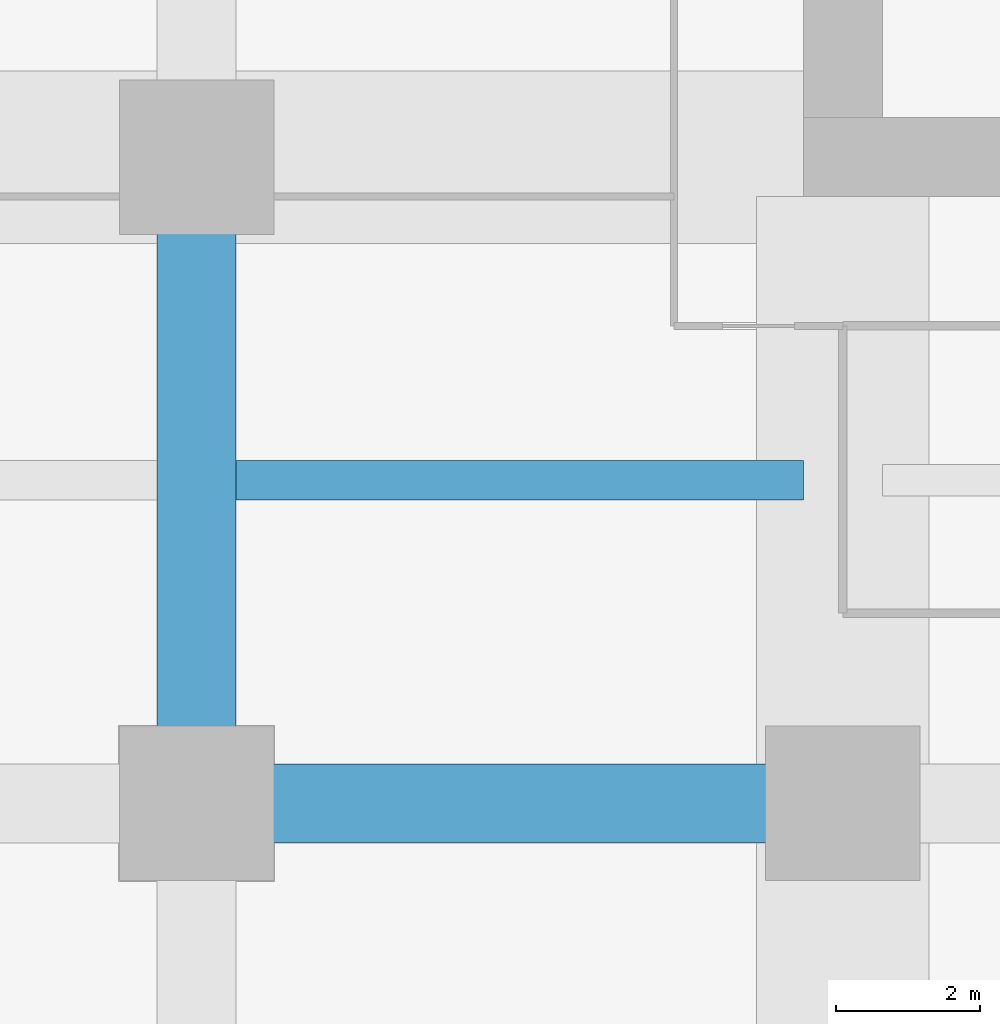
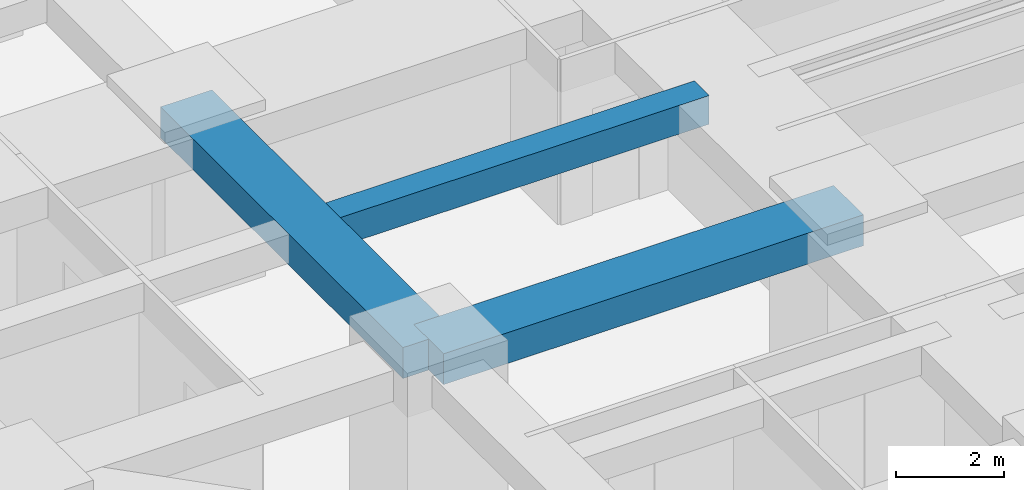
# One storey, part 5 of 45: 3 beams.
"""IFC4 building model written with IfcOpenShell, lengths in metres."""

from ifc_helpers import new_model, si_unit, direction, frame, origin, origin_2d, place, context, subcontext, project, spatial, rectangle, extrude, material, material_profile, profile_set, type_object, element, save


model = new_model("IFC4")

# Units and contexts
model_context = context("Model", 3, precision=1e-05, world=origin(), true_north=direction((0.0, 1.0)))
body_context = subcontext(model_context, "Body", "Model", "MODEL_VIEW")
ifc_project = project(units=[si_unit("LENGTHUNIT", "METRE"), si_unit("AREAUNIT", "SQUARE_METRE"), si_unit("VOLUMEUNIT", "CUBIC_METRE"), si_unit("PLANEANGLEUNIT", "RADIAN"), si_unit("MASSUNIT", "GRAM", prefix="KILO")], contexts=[model_context])

# Site, building, storey
site_placement = place(None, origin())
site = spatial("IfcSite", under=ifc_project, at=site_placement, CompositionType="ELEMENT")
building_placement = place(site_placement, origin())
building = spatial("IfcBuilding", under=site, at=building_placement, Name="Zorevar Civic Tower", CompositionType="ELEMENT")
storey_placement = place(building_placement, frame((0.0, 0.0, 71.800048828125)))
storey = spatial("IfcBuildingStorey", under=building, at=storey_placement, Name="L17", CompositionType="ELEMENT", Elevation=71.800048828125)

# Beams
ifc_material_1 = material(Name="Concrete C50/60", Category="concrete")
ifc_material_profile_1 = material_profile(ifc_material_1, rectangle(XDim=1.10009765625, YDim=0.699951171875, at=origin_2d()), Name="RC 1100x700")
ifc_profile_set_1 = profile_set([ifc_material_profile_1], Name="Concrete C50/60")
beam_type_1 = type_object("IfcBeamType", Name="Beam RC 1100x700", PredefinedType="BEAM", material=ifc_profile_set_1)
for number, where, z_axis, x_axis, name in (
    (1, (9.0, 9.0, 3.39990234375), (1.0, 0.0, 0.0), (0.0, 1.0, 0.0), "Girder L18"),
    (2, (9.0, 9.0, 3.39990234375), (0.0, 1.0, 0.0), (-1.0, 0.0, 0.0), "Girder L18"),
):
    element("IfcBeam", number, at=place(storey_placement, frame(where, z_axis=z_axis, x_axis=x_axis)), inside=storey, type_object=beam_type_1, Name=name, PredefinedType="BEAM", context=body_context, shape_type="SweptSolid", body=[
        extrude(rectangle(XDim=1.10009765625, YDim=0.699951171875, at=origin_2d()), origin(), (0.0, 0.0, 1.0), 9.0),
    ])
ifc_material_2 = material(Name="Concrete C50/60", Category="concrete")
ifc_material_profile_2 = material_profile(ifc_material_2, rectangle(XDim=0.550048828125, YDim=0.64990234375, at=origin_2d()), Name="RC 550x650")
ifc_profile_set_2 = profile_set([ifc_material_profile_2], Name="Concrete C50/60")
beam_type_2 = type_object("IfcBeamType", Name="Beam RC 550x650", PredefinedType="BEAM", material=ifc_profile_set_2)
beam_placement = place(storey_placement, frame((9.550048828125, 13.5, 3.425048828125), z_axis=(1.0, 0.0, 0.0), x_axis=(0.0, 1.0, 0.0)))
element("IfcBeam", 3, at=beam_placement, inside=storey, type_object=beam_type_2, Name="Secondary beam L18", PredefinedType="BEAM", context=body_context, shape_type="SweptSolid", body=[
    extrude(rectangle(XDim=0.550048828125, YDim=0.64990234375, at=origin_2d()), origin(), (0.0, 0.0, 1.0), 7.89990234375),
])

save(model, "model.ifc")
